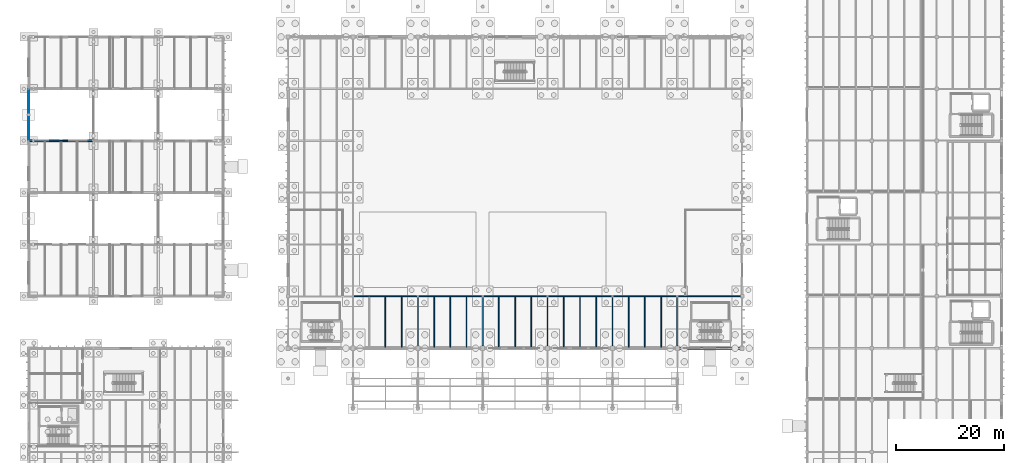
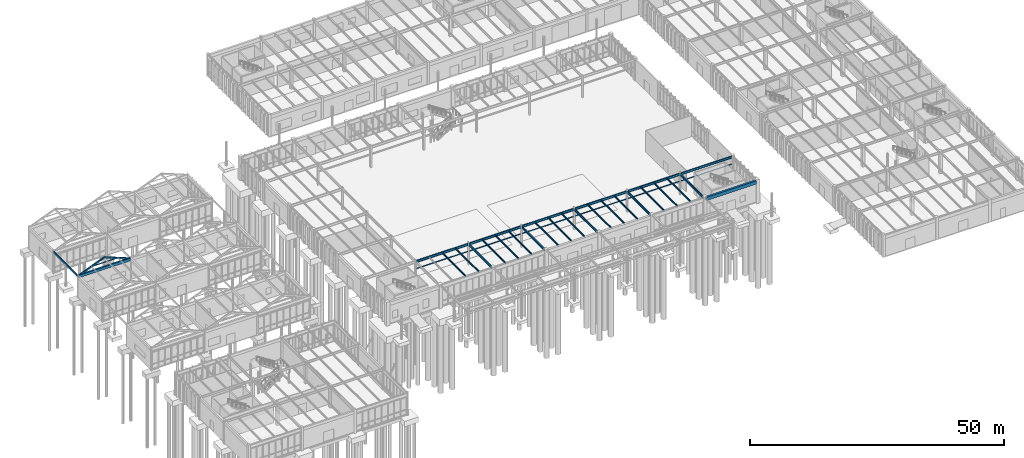
# One storey, part 61 of 188: 33 beams, 4 members.
"""IFC4 building model written with IfcOpenShell, lengths in metres."""

from ifc_helpers import new_model, si_unit, direction, frame, origin, origin_2d, place, context, subcontext, project, spatial, rectangle, hollow_rectangle, i_section, extrude, material, material_profile, profile_set, type_object, element, save


model = new_model("IFC4")

# Units and contexts
model_context = context("Model", 3, precision=1e-05, world=origin(), true_north=direction((0.0, 1.0)))
body_context = subcontext(model_context, "Body", "Model", "MODEL_VIEW")
ifc_project = project(units=[si_unit("LENGTHUNIT", "METRE"), si_unit("AREAUNIT", "SQUARE_METRE"), si_unit("VOLUMEUNIT", "CUBIC_METRE"), si_unit("PLANEANGLEUNIT", "RADIAN"), si_unit("MASSUNIT", "GRAM", prefix="KILO")], contexts=[model_context])

# Site, building, storey
site_placement = place(None, origin())
site = spatial("IfcSite", under=ifc_project, at=site_placement, CompositionType="ELEMENT")
building_placement = place(site_placement, origin())
building = spatial("IfcBuilding", under=site, at=building_placement, Name="Pandanus Reach Market Hall", CompositionType="ELEMENT")
storey_placement = place(building_placement, origin())
storey = spatial("IfcBuildingStorey", under=building, at=storey_placement, Name="L00", CompositionType="ELEMENT", Elevation=0.0)

# Beams
ifc_material_1 = material(Name="Concrete N40 (40 MPa)", Category="concrete")
ifc_material_profile_1 = material_profile(ifc_material_1, rectangle(XDim=0.35009765625, YDim=0.64990234375, at=origin_2d()), Name="RC350x650", Category="LoadBearing")
ifc_profile_set_1 = profile_set([ifc_material_profile_1], Name="Concrete N40 (40 MPa)")
beam_type_1 = type_object("IfcBeamType", Name="BM-RC350-E", PredefinedType="SPANDREL", material=ifc_profile_set_1)
beam_1_placement = place(storey_placement, frame((0.125, 67.199951171875, 4.8798828125), z_axis=(1.0, 0.0, 0.0), x_axis=(0.0, 1.0, 0.0)))
element("IfcBeam", 1, at=beam_1_placement, inside=storey, type_object=beam_type_1, Name="Framing beam BM-RC350-E L00.1165", PredefinedType="SPANDREL", context=body_context, shape_type="SweptSolid", body=[
    extrude(rectangle(XDim=0.35009765625, YDim=0.64990234375, at=origin_2d()), origin(), (0.0, 0.0, 1.0), 11.75),
])
ifc_material_profile_2 = material_profile(ifc_material_1, rectangle(XDim=0.449951171875, YDim=0.800048828125, at=origin_2d()), Name="RC450x800", Category="LoadBearing")
ifc_profile_set_2 = profile_set([ifc_material_profile_2], Name="Concrete N40 (40 MPa)")
beam_type_2 = type_object("IfcBeamType", Name="BM-RC450-E", PredefinedType="SPANDREL", material=ifc_profile_set_2)
beam_2_placement = place(storey_placement, frame((120.373046875, 28.800048828125, 4.719970703125), z_axis=(1.0, 0.0, 0.0), x_axis=(0.0, 1.0, 0.0)))
element("IfcBeam", 2, at=beam_2_placement, inside=storey, type_object=beam_type_2, Name="Framing beam BM-RC450-E L00.1044", PredefinedType="SPANDREL", context=body_context, shape_type="SweptSolid", body=[
    extrude(rectangle(XDim=0.449951171875, YDim=0.800048828125, at=origin_2d()), origin(), (0.0, 0.0, 1.0), 11.25390625),
])
ifc_material_2 = material(Name="Steel Grade 350 (350 MPa)", Category="steel")
ifc_material_profile_3 = material_profile(ifc_material_2, i_section(OverallWidth=0.208984375, OverallDepth=0.532958984375, WebThickness=0.01025390625, FlangeThickness=0.015625, at=origin_2d()), Name="530UB92.4", Category="LoadBearing")
ifc_profile_set_3 = profile_set([ifc_material_profile_3], Name="Steel Grade 350 (350 MPa)")
beam_type_3 = type_object("IfcBeamType", Name="BM-UB530-I", PredefinedType="BEAM", material=ifc_profile_set_3)
for number, where, z_axis, x_axis, name in (
    (3, (60.155517578125, 38.39990234375, 4.85302734375), (1.0, 0.0, 0.0), (0.0, 1.0, 0.0), "Framing beam BM-UB530-I L00.1046"),
    (4, (72.155517578125, 38.39990234375, 4.85302734375), (1.0, 0.0, 0.0), (0.0, 1.0, 0.0), "Framing beam BM-UB530-I L00.1047"),
    (5, (84.155517578125, 38.39990234375, 4.85302734375), (1.0, 0.0, 0.0), (0.0, 1.0, 0.0), "Framing beam BM-UB530-I L00.1048"),
    (6, (96.155517578125, 38.39990234375, 4.85302734375), (1.0, 0.0, 0.0), (0.0, 1.0, 0.0), "Framing beam BM-UB530-I L00.1049"),
    (7, (108.155517578125, 38.39990234375, 4.85302734375), (1.0, 0.0, 0.0), (0.0, 1.0, 0.0), "Framing beam BM-UB530-I L00.1050"),
):
    element("IfcBeam", number, at=place(storey_placement, frame(where, z_axis=z_axis, x_axis=x_axis)), inside=storey, type_object=beam_type_3, Name=name, PredefinedType="BEAM", context=body_context, shape_type="SweptSolid", body=[
        extrude(i_section(OverallWidth=0.208984375, OverallDepth=0.532958984375, WebThickness=0.01025390625, FlangeThickness=0.015625, at=origin_2d()), origin(), (0.0, 0.0, 1.0), 11.68896484375),
    ])
beam_3_placement = place(storey_placement, frame((120.155517578125, 38.39990234375, 4.85302734375), z_axis=(1.0, 0.0, 0.0), x_axis=(0.0, 1.0, 0.0)))
element("IfcBeam", 8, at=beam_3_placement, inside=storey, type_object=beam_type_3, Name="Framing beam BM-UB530-I L00.1051", PredefinedType="BEAM", context=body_context, shape_type="SweptSolid", body=[
    extrude(i_section(OverallWidth=0.208984375, OverallDepth=0.532958984375, WebThickness=0.01025390625, FlangeThickness=0.015625, at=origin_2d()), origin(), (0.0, 0.0, 1.0), 11.54638671875),
])
for number, where, z_axis, x_axis, name in (
    (9, (72.0, 29.173095703125, 4.85302734375), (0.0, 1.0, 0.0), (-1.0, 0.0, 0.0), "Framing beam BM-UB530-I L00.1070"),
    (10, (84.0, 29.173095703125, 4.85302734375), (0.0, 1.0, 0.0), (-1.0, 0.0, 0.0), "Framing beam BM-UB530-I L00.1072"),
    (11, (96.0, 29.173095703125, 4.85302734375), (0.0, 1.0, 0.0), (-1.0, 0.0, 0.0), "Framing beam BM-UB530-I L00.1074"),
    (12, (108.0, 29.173095703125, 4.85302734375), (0.0, 1.0, 0.0), (-1.0, 0.0, 0.0), "Framing beam BM-UB530-I L00.1076"),
    (13, (120.0, 29.173095703125, 4.85302734375), (0.0, 1.0, 0.0), (-1.0, 0.0, 0.0), "Framing beam BM-UB530-I L00.1078"),
):
    element("IfcBeam", number, at=place(storey_placement, frame(where, z_axis=z_axis, x_axis=x_axis)), inside=storey, type_object=beam_type_3, Name=name, PredefinedType="BEAM", context=body_context, shape_type="SweptSolid", body=[
        extrude(i_section(OverallWidth=0.208984375, OverallDepth=0.532958984375, WebThickness=0.01025390625, FlangeThickness=0.015625, at=origin_2d()), origin(), (0.0, 0.0, 1.0), 9.0712890625),
    ])

# Member
ifc_material_profile_4 = material_profile(ifc_material_2, hollow_rectangle(XDim=0.14990234375, YDim=0.14990234375, WallThickness=0.009033203125, at=origin_2d()), Name="150x150x9.0SHS", Category="LoadBearing")
ifc_profile_set_4 = profile_set([ifc_material_profile_4], Name="Steel Grade 350 (350 MPa)")
member_type_1 = type_object("IfcMemberType", Name="CL-SHS150-I", PredefinedType="COLLAR", material=ifc_profile_set_4)
member_1_placement = place(storey_placement, frame((3.0, 67.199951171875, 6.166748046875), z_axis=(1.0, 0.0, 0.0), x_axis=(0.0, 1.0, 0.0)))
element("IfcMember", 14, at=member_1_placement, inside=storey, type_object=member_type_1, Name="Gable collar tie R2.B1", PredefinedType="COLLAR", context=body_context, shape_type="SweptSolid", body=[
    extrude(hollow_rectangle(XDim=0.14990234375, YDim=0.14990234375, WallThickness=0.009033203125, at=origin_2d()), origin(), (0.0, 0.0, 1.0), 6.0),
])

# Beams
ifc_material_profile_5 = material_profile(ifc_material_2, i_section(OverallWidth=0.1708984375, OverallDepth=0.35595703125, WebThickness=0.00732421875, FlangeThickness=0.011474609375, at=origin_2d()), Name="360UB50.7", Category="LoadBearing")
ifc_profile_set_5 = profile_set([ifc_material_profile_5], Name="Steel Grade 350 (350 MPa)")
beam_type_4 = type_object("IfcBeamType", Name="JS-UB360-I", PredefinedType="JOIST", material=ifc_profile_set_5)
for number, where, z_axis, x_axis, name in (
    (15, (66.0, 29.02294921875, 4.941650390625), (0.0, 1.0, 0.0), (-1.0, 0.0, 0.0), "Secondary joist JS-UB360-I L00.1109"),
    (16, (69.0, 29.02294921875, 4.941650390625), (0.0, 1.0, 0.0), (-1.0, 0.0, 0.0), "Secondary joist JS-UB360-I L00.1110"),
    (17, (75.0, 29.02294921875, 4.941650390625), (0.0, 1.0, 0.0), (-1.0, 0.0, 0.0), "Secondary joist JS-UB360-I L00.1114"),
    (18, (78.0, 29.02294921875, 4.941650390625), (0.0, 1.0, 0.0), (-1.0, 0.0, 0.0), "Secondary joist JS-UB360-I L00.1115"),
    (19, (81.0, 29.02294921875, 4.941650390625), (0.0, 1.0, 0.0), (-1.0, 0.0, 0.0), "Secondary joist JS-UB360-I L00.1116"),
    (20, (87.0, 29.02294921875, 4.941650390625), (0.0, 1.0, 0.0), (-1.0, 0.0, 0.0), "Secondary joist JS-UB360-I L00.1120"),
    (21, (90.0, 29.02294921875, 4.941650390625), (0.0, 1.0, 0.0), (-1.0, 0.0, 0.0), "Secondary joist JS-UB360-I L00.1121"),
    (22, (93.0, 29.02294921875, 4.941650390625), (0.0, 1.0, 0.0), (-1.0, 0.0, 0.0), "Secondary joist JS-UB360-I L00.1122"),
    (23, (99.0, 29.02294921875, 4.941650390625), (0.0, 1.0, 0.0), (-1.0, 0.0, 0.0), "Secondary joist JS-UB360-I L00.1123"),
    (24, (102.0, 29.02294921875, 4.941650390625), (0.0, 1.0, 0.0), (-1.0, 0.0, 0.0), "Secondary joist JS-UB360-I L00.1124"),
    (25, (105.0, 29.02294921875, 4.941650390625), (0.0, 1.0, 0.0), (-1.0, 0.0, 0.0), "Secondary joist JS-UB360-I L00.1125"),
    (26, (111.0, 29.02294921875, 4.941650390625), (0.0, 1.0, 0.0), (-1.0, 0.0, 0.0), "Secondary joist JS-UB360-I L00.1129"),
    (27, (114.0, 29.02294921875, 4.941650390625), (0.0, 1.0, 0.0), (-1.0, 0.0, 0.0), "Secondary joist JS-UB360-I L00.1130"),
    (28, (117.0, 29.02294921875, 4.941650390625), (0.0, 1.0, 0.0), (-1.0, 0.0, 0.0), "Secondary joist JS-UB360-I L00.1131"),
):
    element("IfcBeam", number, at=place(storey_placement, frame(where, z_axis=z_axis, x_axis=x_axis)), inside=storey, type_object=beam_type_4, Name=name, PredefinedType="JOIST", context=body_context, shape_type="SweptSolid", body=[
        extrude(i_section(OverallWidth=0.1708984375, OverallDepth=0.35595703125, WebThickness=0.00732421875, FlangeThickness=0.011474609375, at=origin_2d()), origin(), (0.0, 0.0, 1.0), 9.274658203125),
    ])
ifc_material_profile_6 = material_profile(ifc_material_2, hollow_rectangle(XDim=0.14990234375, YDim=0.14990234375, WallThickness=0.009033203125, at=origin_2d()), Name="150x150x9.0SHS", Category="LoadBearing")
ifc_profile_set_6 = profile_set([ifc_material_profile_6], Name="Steel Grade 350 (350 MPa)")
beam_type_5 = type_object("IfcBeamType", Name="LN-SHS150-I", PredefinedType="LINTEL", material=ifc_profile_set_6)
for number, where, z_axis, x_axis, name in (
    (29, (60.14794921875, 38.39990234375, 3.14990234375), (1.0, 0.0, 0.0), (0.0, 1.0, 0.0), "Market stall portal lintel LN-SHS150-I 1"),
    (30, (72.14794921875, 38.39990234375, 3.14990234375), (1.0, 0.0, 0.0), (0.0, 1.0, 0.0), "Market stall portal lintel LN-SHS150-I 2"),
    (31, (84.14794921875, 38.39990234375, 3.14990234375), (1.0, 0.0, 0.0), (0.0, 1.0, 0.0), "Market stall portal lintel LN-SHS150-I 3"),
    (32, (96.14794921875, 38.39990234375, 3.14990234375), (1.0, 0.0, 0.0), (0.0, 1.0, 0.0), "Market stall portal lintel LN-SHS150-I 4"),
    (33, (108.14794921875, 38.39990234375, 3.14990234375), (1.0, 0.0, 0.0), (0.0, 1.0, 0.0), "Market stall portal lintel LN-SHS150-I 5"),
):
    element("IfcBeam", number, at=place(storey_placement, frame(where, z_axis=z_axis, x_axis=x_axis)), inside=storey, type_object=beam_type_5, Name=name, PredefinedType="LINTEL", context=body_context, shape_type="SweptSolid", body=[
        extrude(hollow_rectangle(XDim=0.14990234375, YDim=0.14990234375, WallThickness=0.009033203125, at=origin_2d()), origin(), (0.0, 0.0, 1.0), 11.7041015625),
    ])
beam_4_placement = place(storey_placement, frame((120.14794921875, 38.39990234375, 3.14990234375), z_axis=(1.0, 0.0, 0.0), x_axis=(0.0, 1.0, 0.0)))
element("IfcBeam", 34, at=beam_4_placement, inside=storey, type_object=beam_type_5, Name="Market stall portal lintel LN-SHS150-I 6", PredefinedType="LINTEL", context=body_context, shape_type="SweptSolid", body=[
    extrude(hollow_rectangle(XDim=0.14990234375, YDim=0.14990234375, WallThickness=0.009033203125, at=origin_2d()), origin(), (0.0, 0.0, 1.0), 11.55615234375),
])

# Members
ifc_material_3 = material(Name="Glulam timber GL17", Category="wood")
ifc_material_profile_7 = material_profile(ifc_material_3, rectangle(XDim=0.175048828125, YDim=0.449951171875, at=origin_2d()), Name="GL175x450", Category="LoadBearing")
ifc_profile_set_7 = profile_set([ifc_material_profile_7], Name="Glulam timber GL17")
member_type_2 = type_object("IfcMemberType", Name="PR-GL175-E", PredefinedType="PURLIN", material=ifc_profile_set_7)
member_2_placement = place(storey_placement, frame((0.0, 67.320068359375, 4.949951171875), z_axis=(0.0, 1.0, 0.0), x_axis=(-1.0, 0.0, 0.0)))
element("IfcMember", 35, at=member_2_placement, inside=storey, type_object=member_type_2, Name="Breezeway glulam purlin 2.0", PredefinedType="PURLIN", context=body_context, shape_type="SweptSolid", body=[
    extrude(rectangle(XDim=0.175048828125, YDim=0.449951171875, at=origin_2d()), origin(), (0.0, 0.0, 1.0), 9.35986328125),
])
ifc_material_profile_8 = material_profile(ifc_material_2, hollow_rectangle(XDim=0.25, YDim=0.35009765625, WallThickness=0.012451171875, at=origin_2d()), Name="350x250x12.5RHS", Category="LoadBearing")
ifc_profile_set_8 = profile_set([ifc_material_profile_8], Name="Steel Grade 350 (350 MPa)")
member_type_3 = type_object("IfcMemberType", Name="RF-RHS350-E", PredefinedType="RAFTER", material=ifc_profile_set_8)
for number, where, z_axis, x_axis, name in (
    (36, (0.1201171875, 67.199951171875, 4.985107421875), (0.927845665363, 0.0, 0.372964369971), (0.0, 1.0, 0.0), "Steep gable rafter R2.B1W"),
    (37, (6.0, 67.199951171875, 7.3486328125), (0.927845665363, 0.0, -0.372964369971), (0.0, 1.0, 0.0), "Steep gable rafter R2.B1E"),
):
    element("IfcMember", number, at=place(storey_placement, frame(where, z_axis=z_axis, x_axis=x_axis)), inside=storey, type_object=member_type_3, Name=name, PredefinedType="RAFTER", context=body_context, shape_type="SweptSolid", body=[
        extrude(hollow_rectangle(XDim=0.25, YDim=0.35009765625, WallThickness=0.012451171875, at=origin_2d()), origin(), (0.0, 0.0, 1.0), 6.337158203125),
    ])

save(model, "model.ifc")
